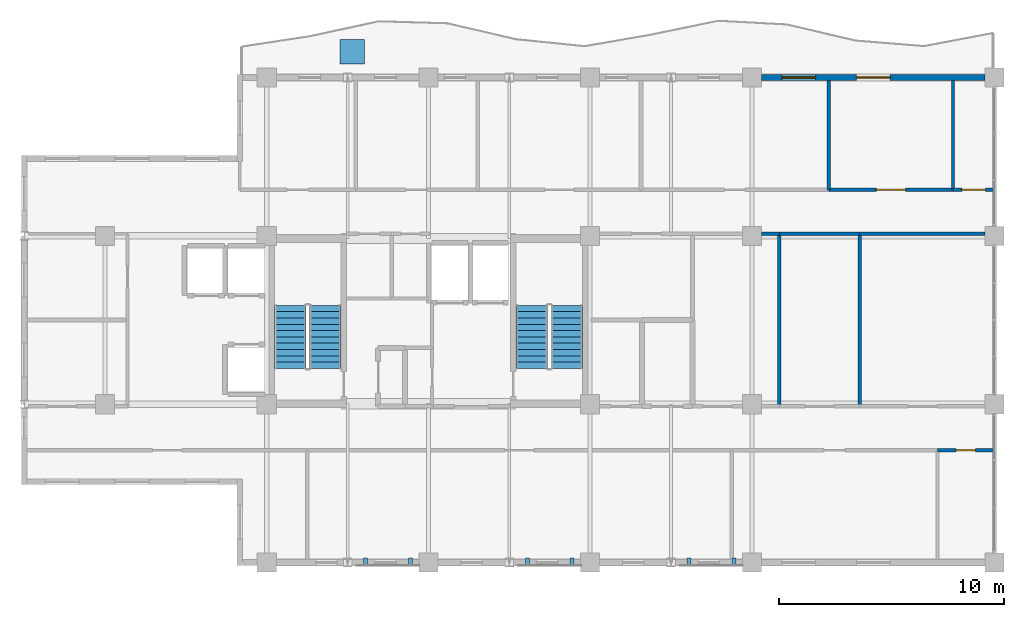
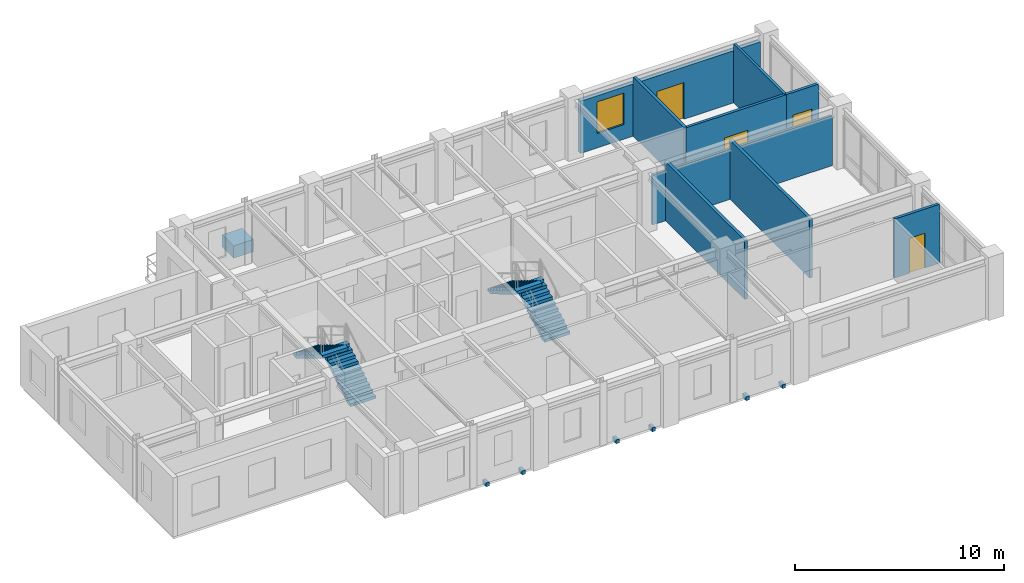
# One storey, part 9 of 10: 11 walls, 7 discrete accessories, 4 doors, 4 stair flights, 1 window, 5 openings, 2 elements without a shape of their own.
"""IFC4 building model written with IfcOpenShell, lengths in metres."""

from ifc_helpers import new_model, si_unit, direction, frame, frame_2d, origin, origin_2d, place, context, subcontext, project, spatial, polyline, rectangle, outline, extrude, source, transform, mapped, material, layer, layer_set, type_object, element, fill, aggregate, save


model = new_model("IFC4")

# Units and contexts
model_context = context("Model", 3, precision=1e-05, world=origin(), true_north=direction((0.0, 1.0)))
body_context = subcontext(model_context, "Body", "Model", "MODEL_VIEW")
ifc_project = project(units=[si_unit("LENGTHUNIT", "METRE"), si_unit("AREAUNIT", "SQUARE_METRE"), si_unit("VOLUMEUNIT", "CUBIC_METRE"), si_unit("PLANEANGLEUNIT", "RADIAN"), si_unit("MASSUNIT", "GRAM", prefix="KILO")], contexts=[model_context])

# Site, building, storey
site_placement = place(None, origin())
site = spatial("IfcSite", under=ifc_project, at=site_placement, CompositionType="ELEMENT")
building_placement = place(site_placement, origin())
building = spatial("IfcBuilding", under=site, at=building_placement, Name="Kaliganga Portal Commons", CompositionType="ELEMENT")
storey_placement = place(building_placement, frame((0.0, 0.0, 279.5)))
storey = spatial("IfcBuildingStorey", under=building, at=storey_placement, Name="L72", CompositionType="ELEMENT", Elevation=279.5)

# Wall, openings, door, window
ifc_material_1 = material(Name="Insulated Aluminium-Clad Spandrel Assembly", Category="aluminium")
ifc_layer_1 = layer(ifc_material_1, 0.260009765625)
ifc_layer_set_1 = layer_set([ifc_layer_1], Name="Insulated Aluminium-Clad Spandrel Assembly")
wall_type_1 = type_object("IfcWallType", Name="WL-EXT-SPAND-260", PredefinedType="STANDARD", material=ifc_layer_set_1)
wall_1_placement = place(storey_placement, frame((36.426025390625, 43.199951171875, 0.0), z_axis=(0.0, 0.0, 1.0), x_axis=(1.0, 0.0, 0.0)))
wall_1 = element("IfcWall", 1, at=wall_1_placement, inside=storey, type_object=wall_type_1, Name="Exterior Envelope Wall L72 P1-E02-S1", PredefinedType="STANDARD", context=body_context, shape_type="SweptSolid", body=[
    extrude(rectangle(XDim=9.947998046875, YDim=0.260009765625, at=frame_2d((4.97412109375, 0.0))), origin(), (0.0, 0.0, 1.0), 3.054931640625),
])
opening_1_placement = place(wall_1_placement, frame((4.22412109375, 0.0, 0.0)))
opening_1 = element("IfcOpeningElement", 2, at=opening_1_placement, cuts=wall_1, Name="Opening BD-01", PredefinedType="OPENING", context=body_context, shape_type="SweptSolid", body=[
    extrude(rectangle(XDim=1.5, YDim=2.14990234375, at=frame_2d((0.75, 1.074951171875))), frame((0.0, 0.14013671875, 0.0), z_axis=(0.0, -1.0, 0.0), x_axis=(1.0, 0.0, 0.0)), (0.0, 0.0, 1.0), 0.280029296875),
])
opening_2_placement = place(wall_1_placement, frame((0.907958984375, 0.0, 0.85009765625)))
opening_2 = element("IfcOpeningElement", 3, at=opening_2_placement, cuts=wall_1, Name="Opening W-02", PredefinedType="OPENING", context=body_context, shape_type="SweptSolid", body=[
    extrude(rectangle(XDim=1.5, YDim=1.85009765625, at=frame_2d((0.75, 0.925048828125))), frame((0.0, 0.14013671875, 0.0), z_axis=(0.0, -1.0, 0.0), x_axis=(1.0, 0.0, 0.0)), (0.0, 0.0, 1.0), 0.280029296875),
])
ifc_material_2 = material(Name="Anodized Aluminium and Laminated Safety Glass", Category="aluminium")
door_type_1 = type_object("IfcDoorType", Name="DR-BALC-1500", OperationType="SLIDING_TO_LEFT", PredefinedType="DOOR", material=ifc_material_2)
door_1_placement = place(opening_1_placement, origin())
door_1 = element("IfcDoor", 4, at=door_1_placement, inside=storey, type_object=door_type_1, Name="Balcony Sliding Door L72 balc_north", OperationType="SLIDING_TO_LEFT", OverallHeight=2.14990234375, OverallWidth=1.5, PredefinedType="DOOR", context=body_context, shape_type="SweptSolid", body=[
    extrude(rectangle(XDim=1.5, YDim=2.14990234375, at=frame_2d((0.75, 1.074951171875))), frame((0.0, 0.02490234375, 0.0), z_axis=(0.0, -1.0, 0.0), x_axis=(1.0, 0.0, 0.0)), (0.0, 0.0, 1.0), 0.050048828125),
])
fill(opening_1, door_1)
ifc_material_3 = material(Name="Thermally Broken Aluminium and Low-E Double Glazing", Category="aluminium")
window_type = type_object("IfcWindowType", Name="WIN-STD-1500", PartitioningType="DOUBLE_PANEL_VERTICAL", PredefinedType="WINDOW", material=ifc_material_3)
window_placement = place(opening_2_placement, origin())
window = element("IfcWindow", 5, at=window_placement, inside=storey, type_object=window_type, Name="Facade Window L72-P1E02S1-00", OverallHeight=1.85009765625, OverallWidth=1.5, PartitioningType="SINGLE_PANEL", PredefinedType="WINDOW", context=body_context, shape_type="SweptSolid", body=[
    extrude(rectangle(XDim=1.5, YDim=1.85009765625, at=frame_2d((0.75, 0.925048828125))), frame((0.0, 0.030029296875, 0.0), z_axis=(0.0, -1.0, 0.0), x_axis=(1.0, 0.0, 0.0)), (0.0, 0.0, 1.0), 0.06005859375),
])
fill(opening_2, window)

# Wall
ifc_material_4 = material(Name="Fire-Rated Gypsum Board on Steel Stud", Category="steel")
ifc_layer_2 = layer(ifc_material_4, 0.14990234375)
ifc_layer_set_2 = layer_set([ifc_layer_2], Name="Fire-Rated Gypsum Board on Steel Stud")
wall_type_2 = type_object("IfcWallType", Name="WL-PART-CORR-150", PredefinedType="PARTITIONING", material=ifc_layer_set_2)
wall_2_placement = place(storey_placement, frame((40.800048828125, 36.239990234375, 0.0), z_axis=(0.0, 0.0, 1.0), x_axis=(1.0, 0.0, 0.0)))
element("IfcWall", 6, at=wall_2_placement, inside=storey, type_object=wall_type_2, Name="Interior Partition L72-007", PredefinedType="PARTITIONING", context=body_context, shape_type="SweptSolid", body=[
    extrude(rectangle(XDim=5.574951171875, YDim=0.14990234375, at=frame_2d((2.78759765625, 0.0))), origin(), (0.0, 0.0, 1.0), 2.905029296875),
])

# Wall, opening, door
wall_3_placement = place(storey_placement, frame((39.419921875, 38.199951171875, 0.0), z_axis=(0.0, 0.0, 1.0), x_axis=(1.0, 0.0, 0.0)))
wall_3 = element("IfcWall", 7, at=wall_3_placement, inside=storey, type_object=wall_type_2, Name="Interior Partition L72-008", PredefinedType="PARTITIONING", context=body_context, shape_type="SweptSolid", body=[
    extrude(rectangle(XDim=5.5400390625, YDim=0.14990234375, at=frame_2d((2.77001953125, 0.0))), origin(), (0.0, 0.0, 1.0), 3.455078125),
])
opening_3_placement = place(wall_3_placement, frame((2.1201171875, 0.0, 0.0)))
opening_3 = element("IfcOpeningElement", 8, at=opening_3_placement, cuts=wall_3, Name="Opening RD-03", PredefinedType="OPENING", context=body_context, shape_type="SweptSolid", body=[
    extrude(rectangle(XDim=1.300048828125, YDim=2.1201171875, at=frame_2d((0.64990234375, 1.06005859375))), frame((0.0, 0.0849609375, 0.0), z_axis=(0.0, -1.0, 0.0), x_axis=(1.0, 0.0, 0.0)), (0.0, 0.0, 1.0), 0.169921875),
])
ifc_material_5 = material(Name="Glazed Timber Seminar Vision Door", Category="wood")
door_type_2 = type_object("IfcDoorType", Name="DR-STUDY-1300", OperationType="DOUBLE_DOOR_SINGLE_SWING", PredefinedType="DOOR", material=ifc_material_5)
door_2_placement = place(opening_3_placement, origin())
door_2 = element("IfcDoor", 9, at=door_2_placement, inside=storey, type_object=door_type_2, Name="Interior Door L72-AN05", OperationType="DOUBLE_DOOR_SINGLE_SWING", OverallHeight=2.1201171875, OverallWidth=1.300048828125, PredefinedType="DOOR", context=body_context, shape_type="SweptSolid", body=[
    extrude(rectangle(XDim=1.300048828125, YDim=2.1201171875, at=frame_2d((0.64990234375, 1.06005859375))), frame((0.0, 0.02490234375, 0.0), z_axis=(0.0, -1.0, 0.0), x_axis=(1.0, 0.0, 0.0)), (0.0, 0.0, 1.0), 0.050048828125),
])
fill(opening_3, door_2)

# Walls
wall_4_placement = place(storey_placement, frame((36.425048828125, 36.239990234375, 0.0), z_axis=(0.0, 0.0, 1.0), x_axis=(1.0, 0.0, 0.0)))
element("IfcWall", 10, at=wall_4_placement, inside=storey, type_object=wall_type_2, Name="Interior Partition L72-017", PredefinedType="PARTITIONING", context=body_context, shape_type="SweptSolid", body=[
    extrude(rectangle(XDim=0.794921875, YDim=0.14990234375, at=frame_2d((0.3974609375, 0.0))), origin(), (0.0, 0.0, 1.0), 2.905029296875),
])
wall_5_placement = place(storey_placement, frame((37.219970703125, 36.239990234375, 0.0), z_axis=(0.0, 0.0, 1.0), x_axis=(1.0, 0.0, 0.0)))
element("IfcWall", 11, at=wall_5_placement, inside=storey, type_object=wall_type_2, Name="Interior Partition L72-021", PredefinedType="PARTITIONING", context=body_context, shape_type="SweptSolid", body=[
    extrude(rectangle(XDim=3.580078125, YDim=0.14990234375, at=frame_2d((1.7900390625, 0.0))), origin(), (0.0, 0.0, 1.0), 2.905029296875),
])

# Wall, opening, door
wall_6_placement = place(storey_placement, frame((44.260009765625, 26.60009765625, 0.0), z_axis=(0.0, 0.0, 1.0), x_axis=(1.0, 0.0, 0.0)))
wall_6 = element("IfcWall", 12, at=wall_6_placement, inside=storey, type_object=wall_type_2, Name="Interior Partition L72-024", PredefinedType="PARTITIONING", context=body_context, shape_type="SweptSolid", body=[
    extrude(rectangle(XDim=2.52001953125, YDim=0.14990234375, at=frame_2d((1.260009765625, 0.0))), origin(), (0.0, 0.0, 1.0), 3.455078125),
])
opening_4_placement = place(wall_6_placement, frame((0.8349609375, 0.0, 0.0)))
opening_4 = element("IfcOpeningElement", 13, at=opening_4_placement, cuts=wall_6, Name="Opening WD-01", PredefinedType="OPENING", context=body_context, shape_type="SweptSolid", body=[
    extrude(rectangle(XDim=0.85009765625, YDim=2.0400390625, at=frame_2d((0.425048828125, 1.02001953125))), frame((0.0, 0.0849609375, 0.0), z_axis=(0.0, -1.0, 0.0), x_axis=(1.0, 0.0, 0.0)), (0.0, 0.0, 1.0), 0.169921875),
])
ifc_material_6 = material(Name="Moisture-Resistant Laminate Timber Door", Category="wood")
door_type_3 = type_object("IfcDoorType", Name="DR-WET-850", OperationType="NOTDEFINED", PredefinedType="DOOR", material=ifc_material_6)
door_3_placement = place(opening_4_placement, origin())
door_3 = element("IfcDoor", 14, at=door_3_placement, inside=storey, type_object=door_type_3, Name="Interior Door L72-AS04", OperationType="SINGLE_SWING_LEFT", OverallHeight=2.0400390625, OverallWidth=0.85009765625, PredefinedType="DOOR", context=body_context, shape_type="SweptSolid", body=[
    extrude(rectangle(XDim=0.85009765625, YDim=2.0400390625, at=frame_2d((0.425048828125, 1.02001953125))), frame((0.0, 0.02490234375, 0.0), z_axis=(0.0, -1.0, 0.0), x_axis=(1.0, 0.0, 0.0)), (0.0, 0.0, 1.0), 0.050048828125),
])
fill(opening_4, door_3)

wall_7_placement = place(storey_placement, frame((44.9599609375, 38.199951171875, 0.0), z_axis=(0.0, 0.0, 1.0), x_axis=(1.0, 0.0, 0.0)))
wall_7 = element("IfcWall", 15, at=wall_7_placement, inside=storey, type_object=wall_type_2, Name="Interior Partition L72-029", PredefinedType="PARTITIONING", context=body_context, shape_type="SweptSolid", body=[
    extrude(rectangle(XDim=1.820068359375, YDim=0.14990234375, at=frame_2d((0.91015625, 0.0))), origin(), (0.0, 0.0, 1.0), 3.455078125),
])
opening_5_placement = place(wall_7_placement, frame((0.385009765625, 0.0, 0.0)))
opening_5 = element("IfcOpeningElement", 16, at=opening_5_placement, cuts=wall_7, Name="Opening UD-02", PredefinedType="OPENING", context=body_context, shape_type="SweptSolid", body=[
    extrude(rectangle(XDim=1.050048828125, YDim=2.1201171875, at=frame_2d((0.52490234375, 1.06005859375))), frame((0.0, 0.0849609375, 0.0), z_axis=(0.0, -1.0, 0.0), x_axis=(1.0, 0.0, 0.0)), (0.0, 0.0, 1.0), 0.169921875),
])
ifc_material_7 = material(Name="Accessible Wide-Leaf Acoustic Fire Door", Category="wood")
door_type_4 = type_object("IfcDoorType", Name="DR-ACC-1050", OperationType="NOTDEFINED", PredefinedType="DOOR", material=ifc_material_7)
door_4_placement = place(opening_5_placement, origin())
door_4 = element("IfcDoor", 17, at=door_4_placement, inside=storey, type_object=door_type_4, Name="Interior Door L72-AN06", OperationType="SINGLE_SWING_LEFT", OverallHeight=2.1201171875, OverallWidth=1.050048828125, PredefinedType="DOOR", context=body_context, shape_type="SweptSolid", body=[
    extrude(rectangle(XDim=1.050048828125, YDim=2.1201171875, at=frame_2d((0.52490234375, 1.06005859375))), frame((0.0, 0.02490234375, 0.0), z_axis=(0.0, -1.0, 0.0), x_axis=(1.0, 0.0, 0.0)), (0.0, 0.0, 1.0), 0.050048828125),
])
fill(opening_5, door_4)

# Walls
ifc_material_8 = material(Name="Twin-Stud Acoustic Gypsum Partition", Category="gypsum")
ifc_layer_3 = layer(ifc_material_8, 0.1650390625)
ifc_layer_set_3 = layer_set([ifc_layer_3], Name="Twin-Stud Acoustic Gypsum Partition")
wall_type_3 = type_object("IfcWallType", Name="WL-PART-UNIT-165", PredefinedType="PARTITIONING", material=ifc_layer_set_3)
for number, where, z_axis, x_axis, name in (
    (18, (37.219970703125, 28.56005859375, 0.0), (0.0, 0.0, 1.0), (0.0, 1.0, 0.0), "Interior Partition L72-036"),
    (19, (40.800048828125, 28.56005859375, 0.0), (0.0, 0.0, 1.0), (0.0, 1.0, 0.0), "Interior Partition L72-037"),
):
    element("IfcWall", number, at=place(storey_placement, frame(where, z_axis=z_axis, x_axis=x_axis)), inside=storey, type_object=wall_type_3, Name=name, PredefinedType="PARTITIONING", context=body_context, shape_type="SweptSolid", body=[
        extrude(rectangle(XDim=7.679931640625, YDim=0.1650390625, at=frame_2d((3.83984375, 0.0))), origin(), (0.0, 0.0, 1.0), 3.455078125),
    ])
wall_8_placement = place(storey_placement, frame((39.419921875, 38.199951171875, 0.0), z_axis=(0.0, 0.0, 1.0), x_axis=(0.0, 1.0, 0.0)))
element("IfcWall", 20, at=wall_8_placement, inside=storey, type_object=wall_type_3, Name="Interior Partition L72-044", PredefinedType="PARTITIONING", context=body_context, shape_type="SweptSolid", body=[
    extrude(rectangle(XDim=4.8681640625, YDim=0.1650390625, at=frame_2d((2.43408203125, 0.0))), origin(), (0.0, 0.0, 1.0), 3.455078125),
])
ifc_material_9 = material(Name="Cement-Board Wet-Room Partition", Category="gypsum")
ifc_layer_4 = layer(ifc_material_9, 0.135009765625)
ifc_layer_set_4 = layer_set([ifc_layer_4], Name="Cement-Board Wet-Room Partition")
wall_type_4 = type_object("IfcWallType", Name="WL-PART-WET-135", PredefinedType="PARTITIONING", material=ifc_layer_set_4)
wall_9_placement = place(storey_placement, frame((44.9599609375, 38.199951171875, 0.0), z_axis=(0.0, 0.0, 1.0), x_axis=(0.0, 1.0, 0.0)))
element("IfcWall", 21, at=wall_9_placement, inside=storey, type_object=wall_type_4, Name="Interior Partition L72-046", PredefinedType="PARTITIONING", context=body_context, shape_type="SweptSolid", body=[
    extrude(rectangle(XDim=4.8681640625, YDim=0.135009765625, at=frame_2d((2.43408203125, 0.0))), origin(), (0.0, 0.0, 1.0), 3.455078125),
])

# Stair, stair flights
ifc_material_10 = material(Name="Concrete C40/50", Category="concrete")
stair_type = type_object("IfcStairType", Name="ST-CORE-DOGLEG", PredefinedType="HALF_TURN_STAIR", material=ifc_material_10)
stair_1_placement = place(storey_placement, origin())
stair_1 = element("IfcStair", 22, at=stair_1_placement, inside=storey, type_object=stair_type, Name="L72 Protected Exit Stair ST-A1", PredefinedType="HALF_TURN_STAIR")
stair_flight_type = type_object("IfcStairFlightType", Name="STF-RC-1400", PredefinedType="STRAIGHT", material=ifc_material_10)
stair_flight_1_placement = place(storey_placement, frame((17.0, 30.25, 0.0), z_axis=(0.0, 0.0, 1.0), x_axis=(0.0, 1.0, 0.0)))
stair_flight_1 = element("IfcStairFlight", 23, at=stair_flight_1_placement, type_object=stair_flight_type, Name="ST-A1 flight 1", NumberOfRisers=11, NumberOfTreads=10, PredefinedType="STRAIGHT", RiserHeight=0.168181818, TreadLength=0.28, context=body_context, shape_type="SweptSolid", body=[
    extrude(outline(polyline([(0.0, 0.0), (0.0, 0.168212890625), (0.280029296875, 0.168212890625), (0.280029296875, 0.33642578125), (0.56005859375, 0.33642578125), (0.56005859375, 0.504638671875), (0.840087890625, 0.504638671875), (0.840087890625, 0.672607421875), (1.1201171875, 0.672607421875), (1.1201171875, 0.8408203125), (1.39990234375, 0.8408203125), (1.39990234375, 1.009033203125), (1.679931640625, 1.009033203125), (1.679931640625, 1.17724609375), (1.9599609375, 1.17724609375), (1.9599609375, 1.345458984375), (2.239990234375, 1.345458984375), (2.239990234375, 1.513671875), (2.52001953125, 1.513671875), (2.52001953125, 1.681884765625), (2.800048828125, 1.681884765625), (2.800048828125, 1.85009765625), (2.800048828125, 1.5068359375), (0.291015625, 0.0), (0.0, 0.0)])), frame((0.0, 0.699951171875, 0.0), z_axis=(0.0, -1.0, 0.0), x_axis=(1.0, 0.0, 0.0)), (0.0, 0.0, 1.0), 1.39990234375),
])
stair_flight_2_placement = place(storey_placement, frame((15.449951171875, 33.050048828125, 1.85009765625), z_axis=(0.0, 0.0, 1.0), x_axis=(0.0, -1.0, 0.0)))
stair_flight_2 = element("IfcStairFlight", 24, at=stair_flight_2_placement, type_object=stair_flight_type, Name="ST-A1 flight 2", NumberOfRisers=11, NumberOfTreads=10, PredefinedType="STRAIGHT", RiserHeight=0.168181818, TreadLength=0.28, context=body_context, shape_type="SweptSolid", body=[
    extrude(outline(polyline([(0.0, 0.0), (0.0, 0.168212890625), (0.280029296875, 0.168212890625), (0.280029296875, 0.33642578125), (0.56005859375, 0.33642578125), (0.56005859375, 0.504638671875), (0.840087890625, 0.504638671875), (0.840087890625, 0.672607421875), (1.1201171875, 0.672607421875), (1.1201171875, 0.8408203125), (1.39990234375, 0.8408203125), (1.39990234375, 1.009033203125), (1.679931640625, 1.009033203125), (1.679931640625, 1.17724609375), (1.9599609375, 1.17724609375), (1.9599609375, 1.345458984375), (2.239990234375, 1.345458984375), (2.239990234375, 1.513671875), (2.52001953125, 1.513671875), (2.52001953125, 1.681884765625), (2.800048828125, 1.681884765625), (2.800048828125, 1.85009765625), (2.800048828125, 1.5068359375), (0.291015625, 0.0), (0.0, 0.0)])), frame((0.0, 0.699951171875, 0.0), z_axis=(0.0, -1.0, 0.0), x_axis=(1.0, 0.0, 0.0)), (0.0, 0.0, 1.0), 1.39990234375),
])
aggregate(stair_1, [stair_flight_1, stair_flight_2])

stair_2_placement = place(storey_placement, origin())
stair_2 = element("IfcStair", 25, at=stair_2_placement, inside=storey, type_object=stair_type, Name="L72 Protected Exit Stair ST-A2", PredefinedType="HALF_TURN_STAIR")
stair_flight_3_placement = place(storey_placement, frame((27.75, 30.25, 0.0), z_axis=(0.0, 0.0, 1.0), x_axis=(0.0, 1.0, 0.0)))
stair_flight_3 = element("IfcStairFlight", 26, at=stair_flight_3_placement, type_object=stair_flight_type, Name="ST-A2 flight 1", NumberOfRisers=11, NumberOfTreads=10, PredefinedType="STRAIGHT", RiserHeight=0.168181818, TreadLength=0.28, context=body_context, shape_type="SweptSolid", body=[
    extrude(outline(polyline([(0.0, 0.0), (0.0, 0.168212890625), (0.280029296875, 0.168212890625), (0.280029296875, 0.33642578125), (0.56005859375, 0.33642578125), (0.56005859375, 0.504638671875), (0.840087890625, 0.504638671875), (0.840087890625, 0.672607421875), (1.1201171875, 0.672607421875), (1.1201171875, 0.8408203125), (1.39990234375, 0.8408203125), (1.39990234375, 1.009033203125), (1.679931640625, 1.009033203125), (1.679931640625, 1.17724609375), (1.9599609375, 1.17724609375), (1.9599609375, 1.345458984375), (2.239990234375, 1.345458984375), (2.239990234375, 1.513671875), (2.52001953125, 1.513671875), (2.52001953125, 1.681884765625), (2.800048828125, 1.681884765625), (2.800048828125, 1.85009765625), (2.800048828125, 1.5068359375), (0.291015625, 0.0), (0.0, 0.0)])), frame((0.0, 0.699951171875, 0.0), z_axis=(0.0, -1.0, 0.0), x_axis=(1.0, 0.0, 0.0)), (0.0, 0.0, 1.0), 1.39990234375),
])
stair_flight_4_placement = place(storey_placement, frame((26.199951171875, 33.050048828125, 1.85009765625), z_axis=(0.0, 0.0, 1.0), x_axis=(0.0, -1.0, 0.0)))
stair_flight_4 = element("IfcStairFlight", 27, at=stair_flight_4_placement, type_object=stair_flight_type, Name="ST-A2 flight 2", NumberOfRisers=11, NumberOfTreads=10, PredefinedType="STRAIGHT", RiserHeight=0.168181818, TreadLength=0.28, context=body_context, shape_type="SweptSolid", body=[
    extrude(outline(polyline([(0.0, 0.0), (0.0, 0.168212890625), (0.280029296875, 0.168212890625), (0.280029296875, 0.33642578125), (0.56005859375, 0.33642578125), (0.56005859375, 0.504638671875), (0.840087890625, 0.504638671875), (0.840087890625, 0.672607421875), (1.1201171875, 0.672607421875), (1.1201171875, 0.8408203125), (1.39990234375, 0.8408203125), (1.39990234375, 1.009033203125), (1.679931640625, 1.009033203125), (1.679931640625, 1.17724609375), (1.9599609375, 1.17724609375), (1.9599609375, 1.345458984375), (2.239990234375, 1.345458984375), (2.239990234375, 1.513671875), (2.52001953125, 1.513671875), (2.52001953125, 1.681884765625), (2.800048828125, 1.681884765625), (2.800048828125, 1.85009765625), (2.800048828125, 1.5068359375), (0.291015625, 0.0), (0.0, 0.0)])), frame((0.0, 0.699951171875, 0.0), z_axis=(0.0, -1.0, 0.0), x_axis=(1.0, 0.0, 0.0)), (0.0, 0.0, 1.0), 1.39990234375),
])
aggregate(stair_2, [stair_flight_3, stair_flight_4])

# Discrete accessories
ifc_material_11 = material(Name="Precast concrete C40/50", Category="concrete")
discrete_accessory_type_1 = type_object("IfcDiscreteAccessoryType", Name="DAC-PLANTER-RC", PredefinedType="USERDEFINED", material=ifc_material_11)
shared_shape_1 = source(origin(), body_context, "Body", "SweptSolid", [
    extrude(rectangle(XDim=1.10009765625, YDim=1.10009765625, at=origin_2d()), origin(), (0.0, 0.0, 1.0), 0.719970703125),
])
discrete_accessory_placement = place(storey_placement, frame((18.199951171875, 44.35009765625, 0.0), z_axis=(0.0, 0.0, 1.0), x_axis=(1.0, 0.0, 0.0)))
element("IfcDiscreteAccessory", 28, at=discrete_accessory_placement, inside=storey, type_object=discrete_accessory_type_1, Name="Structural Tree Planter L72 balc_north", ObjectType="PLANTER", PredefinedType="USERDEFINED", context=body_context, shape_type="MappedRepresentation", body=[
    mapped(shared_shape_1, transform((0.0, 0.0, 0.0), x_axis=(1.0, 0.0, 0.0), y_axis=(0.0, 1.0, 0.0), z_axis=(0.0, 0.0, 1.0), scale=1.0)),
])
ifc_material_12 = material(Name="Structural steel S355J2", Category="steel")
discrete_accessory_type_2 = type_object("IfcDiscreteAccessoryType", Name="DAC-BRK-SCR", PredefinedType="BRACKET", material=ifc_material_12)
shared_shape_2 = source(origin(), body_context, "Body", "SweptSolid", [
    extrude(rectangle(XDim=0.179931640625, YDim=0.360107421875, at=origin_2d()), origin(), (0.0, 0.0, 1.0), 0.219970703125),
])
for number, where, z_axis, x_axis, name in (
    (29, (18.800048828125, 21.6201171875, -0.18994140625), (0.0, 0.0, 1.0), (1.0, 0.0, 0.0), "Solar Screen Outrigger Bracket L72-S1-1"),
    (30, (20.800048828125, 21.6201171875, -0.18994140625), (0.0, 0.0, 1.0), (1.0, 0.0, 0.0), "Solar Screen Outrigger Bracket L72-S1-2"),
    (31, (26.0, 21.6201171875, -0.18994140625), (0.0, 0.0, 1.0), (1.0, 0.0, 0.0), "Solar Screen Outrigger Bracket L72-S2-1"),
    (32, (28.0, 21.6201171875, -0.18994140625), (0.0, 0.0, 1.0), (1.0, 0.0, 0.0), "Solar Screen Outrigger Bracket L72-S2-2"),
    (33, (33.199951171875, 21.6201171875, -0.18994140625), (0.0, 0.0, 1.0), (1.0, 0.0, 0.0), "Solar Screen Outrigger Bracket L72-S3-1"),
    (34, (35.199951171875, 21.6201171875, -0.18994140625), (0.0, 0.0, 1.0), (1.0, 0.0, 0.0), "Solar Screen Outrigger Bracket L72-S3-2"),
):
    element("IfcDiscreteAccessory", number, at=place(storey_placement, frame(where, z_axis=z_axis, x_axis=x_axis)), inside=storey, type_object=discrete_accessory_type_2, Name=name, PredefinedType="BRACKET", context=body_context, shape_type="MappedRepresentation", body=[
        mapped(shared_shape_2, transform((0.0, 0.0, 0.0), x_axis=(1.0, 0.0, 0.0), y_axis=(0.0, 1.0, 0.0), z_axis=(0.0, 0.0, 1.0), scale=1.0)),
    ])

save(model, "model.ifc")
